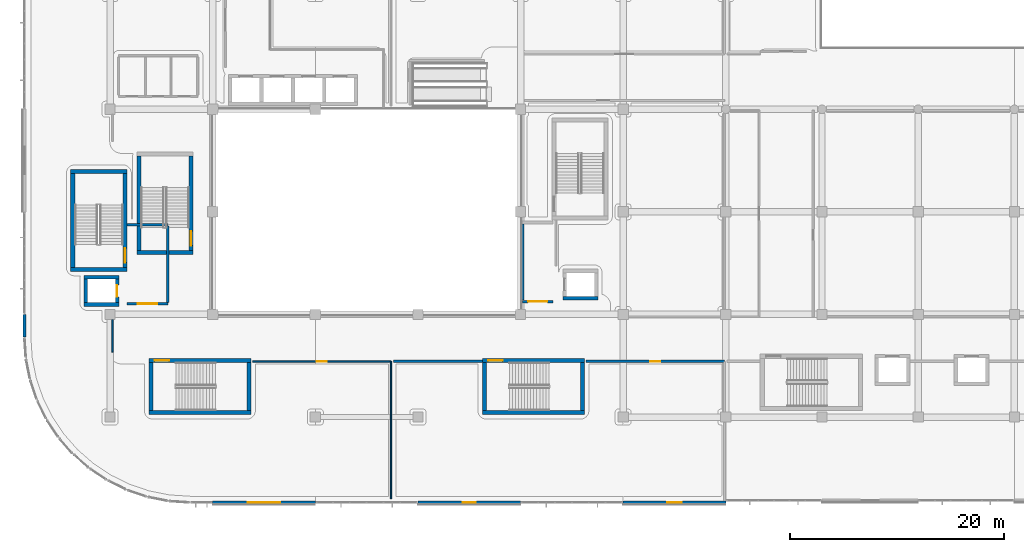
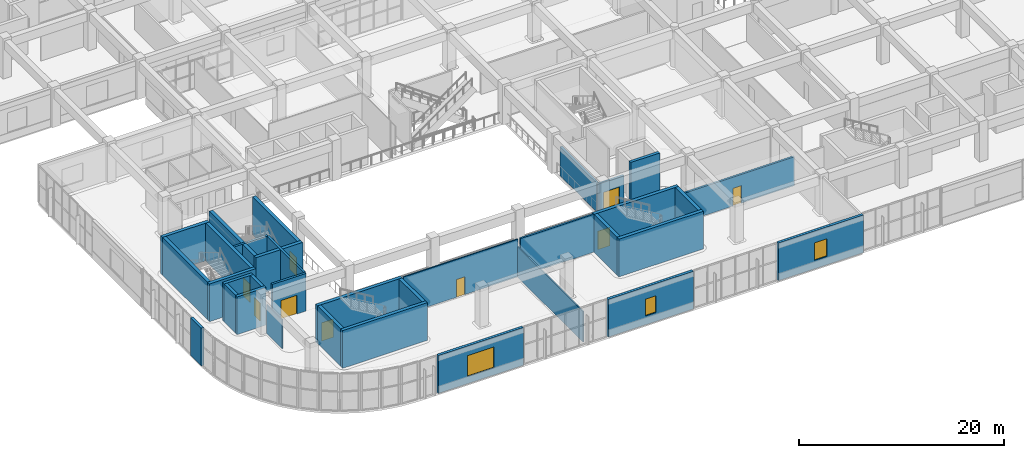
# One storey, part 51 of 86: 34 walls, 9 doors, 3 windows, 12 openings.
"""IFC4 building model written with IfcOpenShell, lengths in metres."""

from ifc_helpers import new_model, si_unit, direction, frame, frame_2d, origin, place, context, subcontext, project, spatial, rectangle, extrude, material, layer, layer_set, type_object, element, fill, save


model = new_model("IFC4")

# Units and contexts
model_context = context("Model", 3, precision=1e-05, world=origin(), true_north=direction((0.0, 1.0)))
body_context = subcontext(model_context, "Body", "Model", "MODEL_VIEW")
ifc_project = project(units=[si_unit("LENGTHUNIT", "METRE"), si_unit("AREAUNIT", "SQUARE_METRE"), si_unit("VOLUMEUNIT", "CUBIC_METRE"), si_unit("PLANEANGLEUNIT", "RADIAN"), si_unit("MASSUNIT", "GRAM", prefix="KILO")], contexts=[model_context])

# Site, building, storey
site_placement = place(None, origin())
site = spatial("IfcSite", under=ifc_project, at=site_placement, CompositionType="ELEMENT")
building_placement = place(site_placement, origin())
building = spatial("IfcBuilding", under=site, at=building_placement, Name="Cendralis Terraced Arcade", CompositionType="ELEMENT")
storey_placement = place(building_placement, frame((0.0, 0.0, 5.39990234375)))
storey = spatial("IfcBuildingStorey", under=building, at=storey_placement, Name="L01", CompositionType="ELEMENT", Elevation=5.39990234375)

# Wall
ifc_material_1 = material(Name="Gypsum plasterboard acoustic partition", Category="concrete")
ifc_layer_1 = layer(ifc_material_1, 0.2099609375, Name="WL-ACOU-210")
ifc_layer_set_1 = layer_set([ifc_layer_1], Name="Gypsum plasterboard acoustic partition")
wall_type_1 = type_object("IfcWallType", Name="WL-ACOU-210", PredefinedType="PARTITIONING", material=ifc_layer_set_1)
wall_1_placement = place(storey_placement, frame((36.1201171875, 14.820068359375, 0.0), z_axis=(0.0, 0.0, 1.0), x_axis=(1.0, 0.0, 0.0)))
element("IfcWall", 1, at=wall_1_placement, inside=storey, type_object=wall_type_1, Name="Interior Partition Wall IW-L01-0339", PredefinedType="PARTITIONING", context=body_context, shape_type="SweptSolid", body=[
    extrude(rectangle(XDim=8.2998046875, YDim=0.2099609375, at=frame_2d((4.14990234375, 0.0))), origin(), (0.0, 0.0, 1.0), 4.505126953125),
])

# Wall, opening, door
ifc_material_2 = material(Name="Autoclaved aerated concrete blockwork", Category="masonry")
ifc_layer_2 = layer(ifc_material_2, 0.221923828125, Name="WL-ACOU-222")
ifc_layer_set_2 = layer_set([ifc_layer_2], Name="Autoclaved aerated concrete blockwork")
wall_type_2 = type_object("IfcWallType", Name="WL-ACOU-222", PredefinedType="PARTITIONING", material=ifc_layer_set_2)
wall_2_placement = place(storey_placement, frame((54.126220703125, 14.820068359375, 0.0), z_axis=(0.0, 0.0, 1.0), x_axis=(1.0, 0.0, 0.0)))
wall_2 = element("IfcWall", 2, at=wall_2_placement, inside=storey, type_object=wall_type_2, Name="Interior Partition Wall IW-L01-0338", PredefinedType="PARTITIONING", context=body_context, shape_type="SweptSolid", body=[
    extrude(rectangle(XDim=12.953857421875, YDim=0.221923828125, at=frame_2d((6.47705078125, 0.0))), origin(), (0.0, 0.0, 1.0), 3.445068359375),
])
opening_1_placement = place(wall_2_placement, frame((6.016845703125, 0.0, 0.0)))
opening_1 = element("IfcOpeningElement", 3, at=opening_1_placement, cuts=wall_2, Name="Opening D-L01-096", PredefinedType="OPENING", context=body_context, shape_type="SweptSolid", body=[
    extrude(rectangle(XDim=0.919921875, YDim=2.10009765625, at=frame_2d((0.4599609375, 1.050048828125))), frame((0.0, 0.123046875, 0.0), z_axis=(0.0, -1.0, 0.0), x_axis=(1.0, 0.0, 0.0)), (0.0, 0.0, 1.0), 0.245849609375),
])
ifc_material_3 = material(Name="Solid core Andean oak veneer door leaf", Category="aluminium")
door_type_1 = type_object("IfcDoorType", Name="ID-RM-0920x2100", OperationType="NOTDEFINED", PredefinedType="DOOR", material=ifc_material_3)
door_1_placement = place(opening_1_placement, origin())
door_1 = element("IfcDoor", 4, at=door_1_placement, inside=storey, type_object=door_type_1, Name="Luxury Leather and Accessories Gallery - Mezzanine Door D-L01-096", OperationType="SINGLE_SWING_LEFT", OverallHeight=2.10009765625, OverallWidth=0.919921875, PredefinedType="DOOR", context=body_context, shape_type="SweptSolid", body=[
    extrude(rectangle(XDim=0.919921875, YDim=2.10009765625, at=frame_2d((0.4599609375, 1.050048828125))), frame((0.0, 0.02490234375, 0.0), z_axis=(0.0, -1.0, 0.0), x_axis=(1.0, 0.0, 0.0)), (0.0, 0.0, 1.0), 0.050048828125),
])
fill(opening_1, door_1)

# Walls
ifc_material_4 = material(Name="Concrete f'c 42 MPa", Category="concrete")
ifc_layer_3 = layer(ifc_material_4, 0.340087890625, Name="WL-CORE-340")
ifc_layer_set_3 = layer_set([ifc_layer_3], Name="Concrete f'c 42 MPa")
wall_type_3 = type_object("IfcWallType", Name="WL-CORE-340", PredefinedType="SHEAR", material=ifc_layer_set_3)
for number, where, z_axis, x_axis, name in (
    (5, (7.159912109375, 20.1298828125, 0.0), (0.0, 0.0, 1.0), (1.0, 0.0, 0.0), "Lift FFL-01 Reinforced Concrete Shaft Wall (L01)"),
    (6, (7.159912109375, 22.669921875, 0.0), (0.0, 0.0, 1.0), (1.0, 0.0, 0.0), "Lift FFL-01 Reinforced Concrete Shaft Wall (L01)"),
):
    element("IfcWall", number, at=place(storey_placement, frame(where, z_axis=z_axis, x_axis=x_axis)), inside=storey, type_object=wall_type_3, Name=name, PredefinedType="SHEAR", context=body_context, shape_type="SweptSolid", body=[
        extrude(rectangle(XDim=3.280029296875, YDim=0.340087890625, at=frame_2d((1.64013671875, 0.0))), origin(), (0.0, 0.0, 1.0), 4.505126953125),
    ])
wall_3_placement = place(storey_placement, frame((7.330078125, 20.300048828125, 0.0), z_axis=(0.0, 0.0, 1.0), x_axis=(0.0, 1.0, 0.0)))
element("IfcWall", 7, at=wall_3_placement, inside=storey, type_object=wall_type_3, Name="Lift FFL-01 Reinforced Concrete Shaft Wall (L01)", PredefinedType="SHEAR", context=body_context, shape_type="SweptSolid", body=[
    extrude(rectangle(XDim=2.199951171875, YDim=0.340087890625, at=frame_2d((1.10009765625, 0.0))), origin(), (0.0, 0.0, 1.0), 4.505126953125),
])

# Wall, opening, door
wall_4_placement = place(storey_placement, frame((10.27001953125, 20.300048828125, 0.0), z_axis=(0.0, 0.0, 1.0), x_axis=(0.0, 1.0, 0.0)))
wall_4 = element("IfcWall", 8, at=wall_4_placement, inside=storey, type_object=wall_type_3, Name="Lift FFL-01 Reinforced Concrete Shaft Wall (L01)", PredefinedType="SHEAR", context=body_context, shape_type="SweptSolid", body=[
    extrude(rectangle(XDim=2.199951171875, YDim=0.340087890625, at=frame_2d((1.10009765625, 0.0))), origin(), (0.0, 0.0, 1.0), 4.505126953125),
])
opening_2_placement = place(wall_4_placement, frame((0.550048828125, 0.0, 0.0)))
opening_2 = element("IfcOpeningElement", 9, at=opening_2_placement, cuts=wall_4, Name="Opening LD-FFL-01-L01", PredefinedType="OPENING", context=body_context, shape_type="SweptSolid", body=[
    extrude(rectangle(XDim=1.10009765625, YDim=2.14990234375, at=frame_2d((0.550048828125, 1.074951171875))), frame((0.0, 0.18212890625, 0.0), z_axis=(0.0, -1.0, 0.0), x_axis=(1.0, 0.0, 0.0)), (0.0, 0.0, 1.0), 0.364013671875),
])
ifc_material_5 = material(Name="Anodised aluminium sliding door assembly", Category="aluminium")
door_type_2 = type_object("IfcDoorType", Name="ID-LD-FF-1100x2150", OperationType="DOUBLE_DOOR_SLIDING", PredefinedType="DOOR", material=ifc_material_5)
door_2_placement = place(opening_2_placement, origin())
door_2 = element("IfcDoor", 10, at=door_2_placement, inside=storey, type_object=door_type_2, Name="Lift FFL-01 Sliding Landing Door (L01)", OperationType="DOUBLE_DOOR_SLIDING", OverallHeight=2.14990234375, OverallWidth=1.10009765625, PredefinedType="DOOR", context=body_context, shape_type="SweptSolid", body=[
    extrude(rectangle(XDim=1.10009765625, YDim=2.14990234375, at=frame_2d((0.550048828125, 1.074951171875))), frame((0.0, 0.02490234375, 0.0), z_axis=(0.0, -1.0, 0.0), x_axis=(1.0, 0.0, 0.0)), (0.0, 0.0, 1.0), 0.050048828125),
])
fill(opening_2, door_2)

# Walls
wall_5_placement = place(storey_placement, frame((51.9599609375, 20.72998046875, 0.0), z_axis=(0.0, 0.0, 1.0), x_axis=(1.0, 0.0, 0.0)))
element("IfcWall", 11, at=wall_5_placement, inside=storey, type_object=wall_type_3, Name="Lift FFL-02 Reinforced Concrete Shaft Wall (L01)", PredefinedType="SHEAR", context=body_context, shape_type="SweptSolid", body=[
    extrude(rectangle(XDim=3.280029296875, YDim=0.340087890625, at=frame_2d((1.64013671875, 0.0))), origin(), (0.0, 0.0, 1.0), 4.505126953125),
])
ifc_layer_4 = layer(ifc_material_4, 0.3798828125, Name="WL-CORE-380")
ifc_layer_set_4 = layer_set([ifc_layer_4], Name="Concrete f'c 42 MPa")
wall_type_4 = type_object("IfcWallType", Name="WL-CORE-380", PredefinedType="SHEAR", material=ifc_layer_set_4)
for number, where, z_axis, x_axis, name in (
    (12, (5.919921875, 23.409912109375, 0.0), (0.0, 0.0, 1.0), (1.0, 0.0, 0.0), "Stair Core Reinforced Concrete Shear Wall SW-ST-01-L01-S"),
    (13, (5.919921875, 32.590087890625, 0.0), (0.0, 0.0, 1.0), (1.0, 0.0, 0.0), "Stair Core Reinforced Concrete Shear Wall SW-ST-01-L01-N"),
):
    element("IfcWall", number, at=place(storey_placement, frame(where, z_axis=z_axis, x_axis=x_axis)), inside=storey, type_object=wall_type_4, Name=name, PredefinedType="SHEAR", context=body_context, shape_type="SweptSolid", body=[
        extrude(rectangle(XDim=5.260009765625, YDim=0.3798828125, at=frame_2d((2.6298828125, 0.0))), origin(), (0.0, 0.0, 1.0), 4.505126953125),
    ])

# Wall, opening, door
wall_6_placement = place(storey_placement, frame((10.989990234375, 23.60009765625, 0.0), z_axis=(0.0, 0.0, 1.0), x_axis=(0.0, 1.0, 0.0)))
wall_6 = element("IfcWall", 14, at=wall_6_placement, inside=storey, type_object=wall_type_4, Name="Stair Core Reinforced Concrete Shear Wall SW-ST-01-L01-E", PredefinedType="SHEAR", context=body_context, shape_type="SweptSolid", body=[
    extrude(rectangle(XDim=8.7998046875, YDim=0.3798828125, at=frame_2d((4.39990234375, 0.0))), origin(), (0.0, 0.0, 1.0), 4.505126953125),
])
opening_3_placement = place(wall_6_placement, frame((0.449951171875, 0.0, 0.0)))
opening_3 = element("IfcOpeningElement", 15, at=opening_3_placement, cuts=wall_6, Name="Opening D-ST-01-L01", PredefinedType="OPENING", context=body_context, shape_type="SweptSolid", body=[
    extrude(rectangle(XDim=1.35009765625, YDim=2.199951171875, at=frame_2d((0.675048828125, 1.10009765625))), frame((0.0, 0.201904296875, 0.0), z_axis=(0.0, -1.0, 0.0), x_axis=(1.0, 0.0, 0.0)), (0.0, 0.0, 1.0), 0.40380859375),
])
ifc_material_6 = material(Name="Galvanised fire-rated steel door assembly", Category="steel")
door_type_3 = type_object("IfcDoorType", Name="ID-ST-1350x2200", OperationType="NOTDEFINED", PredefinedType="DOOR", material=ifc_material_6)
door_3_placement = place(opening_3_placement, origin())
door_3 = element("IfcDoor", 16, at=door_3_placement, inside=storey, type_object=door_type_3, Name="Protected Stair ST-01 Fire Door (L01)", OperationType="SINGLE_SWING_LEFT", OverallHeight=2.199951171875, OverallWidth=1.35009765625, PredefinedType="DOOR", context=body_context, shape_type="SweptSolid", body=[
    extrude(rectangle(XDim=1.35009765625, YDim=2.199951171875, at=frame_2d((0.675048828125, 1.10009765625))), frame((0.0, 0.02490234375, 0.0), z_axis=(0.0, -1.0, 0.0), x_axis=(1.0, 0.0, 0.0)), (0.0, 0.0, 1.0), 0.050048828125),
])
fill(opening_3, door_3)

# Walls
wall_7_placement = place(storey_placement, frame((6.110107421875, 23.60009765625, 0.0), z_axis=(0.0, 0.0, 1.0), x_axis=(0.0, 1.0, 0.0)))
element("IfcWall", 17, at=wall_7_placement, inside=storey, type_object=wall_type_4, Name="Stair Core Reinforced Concrete Shear Wall SW-ST-01-L01-W", PredefinedType="SHEAR", context=body_context, shape_type="SweptSolid", body=[
    extrude(rectangle(XDim=8.7998046875, YDim=0.3798828125, at=frame_2d((4.39990234375, 0.0))), origin(), (0.0, 0.0, 1.0), 4.505126953125),
])
wall_8_placement = place(storey_placement, frame((13.219970703125, 10.010009765625, 0.0), z_axis=(0.0, 0.0, 1.0), x_axis=(1.0, 0.0, 0.0)))
element("IfcWall", 18, at=wall_8_placement, inside=storey, type_object=wall_type_4, Name="Stair Core Reinforced Concrete Shear Wall SW-ST-02-L01-S", PredefinedType="SHEAR", context=body_context, shape_type="SweptSolid", body=[
    extrude(rectangle(XDim=9.56005859375, YDim=0.3798828125, at=frame_2d((4.780029296875, 0.0))), origin(), (0.0, 0.0, 1.0), 4.505126953125),
])

# Wall, opening, door
wall_9_placement = place(storey_placement, frame((13.219970703125, 14.889892578125, 0.0), z_axis=(0.0, 0.0, 1.0), x_axis=(1.0, 0.0, 0.0)))
wall_9 = element("IfcWall", 19, at=wall_9_placement, inside=storey, type_object=wall_type_4, Name="Stair Core Reinforced Concrete Shear Wall SW-ST-02-L01-N", PredefinedType="SHEAR", context=body_context, shape_type="SweptSolid", body=[
    extrude(rectangle(XDim=9.56005859375, YDim=0.3798828125, at=frame_2d((4.780029296875, 0.0))), origin(), (0.0, 0.0, 1.0), 4.505126953125),
])
opening_4_placement = place(wall_9_placement, frame((0.550048828125, 0.0, 0.0)))
opening_4 = element("IfcOpeningElement", 20, at=opening_4_placement, cuts=wall_9, Name="Opening D-ST-02-L01", PredefinedType="OPENING", context=body_context, shape_type="SweptSolid", body=[
    extrude(rectangle(XDim=1.35009765625, YDim=2.199951171875, at=frame_2d((0.675048828125, 1.10009765625))), frame((0.0, 0.201904296875, 0.0), z_axis=(0.0, -1.0, 0.0), x_axis=(1.0, 0.0, 0.0)), (0.0, 0.0, 1.0), 0.40380859375),
])
door_4_placement = place(opening_4_placement, frame((1.35009765625, 0.0, 0.0), z_axis=(0.0, 0.0, 1.0), x_axis=(-1.0, 0.0, 0.0)))
door_4 = element("IfcDoor", 21, at=door_4_placement, inside=storey, type_object=door_type_3, Name="Protected Stair ST-02 Fire Door (L01)", OperationType="SINGLE_SWING_RIGHT", OverallHeight=2.199951171875, OverallWidth=1.35009765625, PredefinedType="DOOR", context=body_context, shape_type="SweptSolid", body=[
    extrude(rectangle(XDim=1.35009765625, YDim=2.199951171875, at=frame_2d((0.675048828125, 1.10009765625))), frame((0.0, 0.02490234375, 0.0), z_axis=(0.0, -1.0, 0.0), x_axis=(1.0, 0.0, 0.0)), (0.0, 0.0, 1.0), 0.050048828125),
])
fill(opening_4, door_4)

# Walls
for number, where, z_axis, x_axis, name in (
    (22, (22.590087890625, 10.199951171875, 0.0), (0.0, 0.0, 1.0), (0.0, 1.0, 0.0), "Stair Core Reinforced Concrete Shear Wall SW-ST-02-L01-E"),
    (23, (13.409912109375, 10.199951171875, 0.0), (0.0, 0.0, 1.0), (0.0, 1.0, 0.0), "Stair Core Reinforced Concrete Shear Wall SW-ST-02-L01-W"),
):
    element("IfcWall", number, at=place(storey_placement, frame(where, z_axis=z_axis, x_axis=x_axis)), inside=storey, type_object=wall_type_4, Name=name, PredefinedType="SHEAR", context=body_context, shape_type="SweptSolid", body=[
        extrude(rectangle(XDim=4.5, YDim=0.3798828125, at=frame_2d((2.25, 0.0))), origin(), (0.0, 0.0, 1.0), 4.505126953125),
    ])
wall_10_placement = place(storey_placement, frame((44.419921875, 10.010009765625, 0.0), z_axis=(0.0, 0.0, 1.0), x_axis=(1.0, 0.0, 0.0)))
element("IfcWall", 24, at=wall_10_placement, inside=storey, type_object=wall_type_4, Name="Stair Core Reinforced Concrete Shear Wall SW-ST-03-L01-S", PredefinedType="SHEAR", context=body_context, shape_type="SweptSolid", body=[
    extrude(rectangle(XDim=9.56005859375, YDim=0.3798828125, at=frame_2d((4.780029296875, 0.0))), origin(), (0.0, 0.0, 1.0), 4.505126953125),
])

# Wall, opening, door
wall_11_placement = place(storey_placement, frame((44.419921875, 14.889892578125, 0.0), z_axis=(0.0, 0.0, 1.0), x_axis=(1.0, 0.0, 0.0)))
wall_11 = element("IfcWall", 25, at=wall_11_placement, inside=storey, type_object=wall_type_4, Name="Stair Core Reinforced Concrete Shear Wall SW-ST-03-L01-N", PredefinedType="SHEAR", context=body_context, shape_type="SweptSolid", body=[
    extrude(rectangle(XDim=9.56005859375, YDim=0.3798828125, at=frame_2d((4.780029296875, 0.0))), origin(), (0.0, 0.0, 1.0), 4.505126953125),
])
opening_5_placement = place(wall_11_placement, frame((0.550048828125, 0.0, 0.0)))
opening_5 = element("IfcOpeningElement", 26, at=opening_5_placement, cuts=wall_11, Name="Opening D-ST-03-L01", PredefinedType="OPENING", context=body_context, shape_type="SweptSolid", body=[
    extrude(rectangle(XDim=1.35009765625, YDim=2.199951171875, at=frame_2d((0.675048828125, 1.10009765625))), frame((0.0, 0.201904296875, 0.0), z_axis=(0.0, -1.0, 0.0), x_axis=(1.0, 0.0, 0.0)), (0.0, 0.0, 1.0), 0.40380859375),
])
door_5_placement = place(opening_5_placement, frame((1.35009765625, 0.0, 0.0), z_axis=(0.0, 0.0, 1.0), x_axis=(-1.0, 0.0, 0.0)))
door_5 = element("IfcDoor", 27, at=door_5_placement, inside=storey, type_object=door_type_3, Name="Protected Stair ST-03 Fire Door (L01)", OperationType="SINGLE_SWING_LEFT", OverallHeight=2.199951171875, OverallWidth=1.35009765625, PredefinedType="DOOR", context=body_context, shape_type="SweptSolid", body=[
    extrude(rectangle(XDim=1.35009765625, YDim=2.199951171875, at=frame_2d((0.675048828125, 1.10009765625))), frame((0.0, 0.02490234375, 0.0), z_axis=(0.0, -1.0, 0.0), x_axis=(1.0, 0.0, 0.0)), (0.0, 0.0, 1.0), 0.050048828125),
])
fill(opening_5, door_5)

# Walls
for number, where, z_axis, x_axis, name in (
    (28, (53.7900390625, 10.199951171875, 0.0), (0.0, 0.0, 1.0), (0.0, 1.0, 0.0), "Stair Core Reinforced Concrete Shear Wall SW-ST-03-L01-E"),
    (29, (44.610107421875, 10.199951171875, 0.0), (0.0, 0.0, 1.0), (0.0, 1.0, 0.0), "Stair Core Reinforced Concrete Shear Wall SW-ST-03-L01-W"),
):
    element("IfcWall", number, at=place(storey_placement, frame(where, z_axis=z_axis, x_axis=x_axis)), inside=storey, type_object=wall_type_4, Name=name, PredefinedType="SHEAR", context=body_context, shape_type="SweptSolid", body=[
        extrude(rectangle(XDim=4.5, YDim=0.3798828125, at=frame_2d((2.25, 0.0))), origin(), (0.0, 0.0, 1.0), 4.505126953125),
    ])
wall_12_placement = place(storey_placement, frame((12.1201171875, 25.010009765625, 0.0), z_axis=(0.0, 0.0, 1.0), x_axis=(1.0, 0.0, 0.0)))
element("IfcWall", 30, at=wall_12_placement, inside=storey, type_object=wall_type_4, Name="Stair Core Reinforced Concrete Shear Wall SW-ST-05-L01-S", PredefinedType="SHEAR", context=body_context, shape_type="SweptSolid", body=[
    extrude(rectangle(XDim=5.259765625, YDim=0.3798828125, at=frame_2d((2.6298828125, 0.0))), origin(), (0.0, 0.0, 1.0), 4.505126953125),
])

# Wall, opening, door
wall_13_placement = place(storey_placement, frame((17.18994140625, 25.199951171875, 0.0), z_axis=(0.0, 0.0, 1.0), x_axis=(0.0, 1.0, 0.0)))
wall_13 = element("IfcWall", 31, at=wall_13_placement, inside=storey, type_object=wall_type_4, Name="Stair Core Reinforced Concrete Shear Wall SW-ST-05-L01-E", PredefinedType="SHEAR", context=body_context, shape_type="SweptSolid", body=[
    extrude(rectangle(XDim=8.800048828125, YDim=0.3798828125, at=frame_2d((4.39990234375, 0.0))), origin(), (0.0, 0.0, 1.0), 4.505126953125),
])
opening_6_placement = place(wall_13_placement, frame((0.449951171875, 0.0, 0.0)))
opening_6 = element("IfcOpeningElement", 32, at=opening_6_placement, cuts=wall_13, Name="Opening D-ST-05-L01", PredefinedType="OPENING", context=body_context, shape_type="SweptSolid", body=[
    extrude(rectangle(XDim=1.35009765625, YDim=2.199951171875, at=frame_2d((0.675048828125, 1.10009765625))), frame((0.0, 0.201904296875, 0.0), z_axis=(0.0, -1.0, 0.0), x_axis=(1.0, 0.0, 0.0)), (0.0, 0.0, 1.0), 0.40380859375),
])
door_6_placement = place(opening_6_placement, origin())
door_6 = element("IfcDoor", 33, at=door_6_placement, inside=storey, type_object=door_type_3, Name="Protected Stair ST-05 Fire Door (L01)", OperationType="SINGLE_SWING_RIGHT", OverallHeight=2.199951171875, OverallWidth=1.35009765625, PredefinedType="DOOR", context=body_context, shape_type="SweptSolid", body=[
    extrude(rectangle(XDim=1.35009765625, YDim=2.199951171875, at=frame_2d((0.675048828125, 1.10009765625))), frame((0.0, 0.02490234375, 0.0), z_axis=(0.0, -1.0, 0.0), x_axis=(1.0, 0.0, 0.0)), (0.0, 0.0, 1.0), 0.050048828125),
])
fill(opening_6, door_6)

# Wall
wall_14_placement = place(storey_placement, frame((12.31005859375, 25.199951171875, 0.0), z_axis=(0.0, 0.0, 1.0), x_axis=(0.0, 1.0, 0.0)))
element("IfcWall", 34, at=wall_14_placement, inside=storey, type_object=wall_type_4, Name="Stair Core Reinforced Concrete Shear Wall SW-ST-05-L01-W", PredefinedType="SHEAR", context=body_context, shape_type="SweptSolid", body=[
    extrude(rectangle(XDim=8.800048828125, YDim=0.3798828125, at=frame_2d((4.39990234375, 0.0))), origin(), (0.0, 0.0, 1.0), 4.505126953125),
])

# Wall, opening, window
ifc_material_7 = material(Name="Precast concrete f'c 40 MPa", Category="concrete")
ifc_layer_5 = layer(ifc_material_7, 0.300048828125, Name="WL-EXT-GRC-300")
ifc_layer_set_5 = layer_set([ifc_layer_5], Name="Precast concrete f'c 40 MPa")
wall_type_5 = type_object("IfcWallType", Name="WL-EXT-GRC-300", PredefinedType="SOLIDWALL", material=ifc_layer_set_5)
wall_15_placement = place(storey_placement, frame((67.199951171875, 1.60009765625, 0.0), z_axis=(0.0, 0.0, 1.0), x_axis=(-1.0, 0.0, 0.0)))
wall_15 = element("IfcWall", 35, at=wall_15_placement, inside=storey, type_object=wall_type_5, Name="Exterior Architectural Wall EW-L01-0122", PredefinedType="SOLIDWALL", context=body_context, shape_type="SweptSolid", body=[
    extrude(rectangle(XDim=9.599853515625, YDim=0.300048828125, at=frame_2d((4.7998046875, 0.0))), origin(), (0.0, 0.0, 1.0), 4.505126953125),
])
opening_7_placement = place(wall_15_placement, frame((4.10009765625, 0.0, 1.0)))
opening_7 = element("IfcOpeningElement", 36, at=opening_7_placement, cuts=wall_15, Name="Opening W-06", PredefinedType="OPENING", context=body_context, shape_type="SweptSolid", body=[
    extrude(rectangle(XDim=1.39990234375, YDim=2.10009765625, at=frame_2d((0.699951171875, 1.050048828125))), frame((0.0, 0.162109375, 0.0), z_axis=(0.0, -1.0, 0.0), x_axis=(1.0, 0.0, 0.0)), (0.0, 0.0, 1.0), 0.323974609375),
])
ifc_material_8 = material(Name="Tempered solar control laminated glass", Category="glass")
window_type_1 = type_object("IfcWindowType", Name="WN-F1-1400x2100", PartitioningType="SINGLE_PANEL", PredefinedType="WINDOW", material=ifc_material_8)
window_1_placement = place(opening_7_placement, origin())
window_1 = element("IfcWindow", 37, at=window_1_placement, inside=storey, type_object=window_type_1, Name="Exterior Solar-Control Window WN-L01-0074", OverallHeight=2.10009765625, OverallWidth=1.39990234375, PartitioningType="SINGLE_PANEL", PredefinedType="WINDOW", context=body_context, shape_type="SweptSolid", body=[
    extrude(rectangle(XDim=1.39990234375, YDim=2.10009765625, at=frame_2d((0.699951171875, 1.050048828125))), frame((0.0, 0.030029296875, 0.0), z_axis=(0.0, -1.0, 0.0), x_axis=(1.0, 0.0, 0.0)), (0.0, 0.0, 1.0), 0.06005859375),
])
fill(opening_7, window_1)

wall_16_placement = place(storey_placement, frame((48.0, 1.60009765625, 0.0), z_axis=(0.0, 0.0, 1.0), x_axis=(-1.0, 0.0, 0.0)))
wall_16 = element("IfcWall", 38, at=wall_16_placement, inside=storey, type_object=wall_type_5, Name="Exterior Architectural Wall EW-L01-0123", PredefinedType="SOLIDWALL", context=body_context, shape_type="SweptSolid", body=[
    extrude(rectangle(XDim=9.60009765625, YDim=0.300048828125, at=frame_2d((4.800048828125, 0.0))), origin(), (0.0, 0.0, 1.0), 4.505126953125),
])
opening_8_placement = place(wall_16_placement, frame((4.199951171875, 0.0, 1.050048828125)))
opening_8 = element("IfcOpeningElement", 39, at=opening_8_placement, cuts=wall_16, Name="Opening W-07", PredefinedType="OPENING", context=body_context, shape_type="SweptSolid", body=[
    extrude(rectangle(XDim=1.199951171875, YDim=2.0, at=frame_2d((0.60009765625, 1.0))), frame((0.0, 0.162109375, 0.0), z_axis=(0.0, -1.0, 0.0), x_axis=(1.0, 0.0, 0.0)), (0.0, 0.0, 1.0), 0.323974609375),
])
window_type_2 = type_object("IfcWindowType", Name="WN-F1-1200x2000", PartitioningType="SINGLE_PANEL", PredefinedType="WINDOW", material=ifc_material_8)
window_2_placement = place(opening_8_placement, origin())
window_2 = element("IfcWindow", 40, at=window_2_placement, inside=storey, type_object=window_type_2, Name="Exterior Solar-Control Window WN-L01-0075", OverallHeight=2.0, OverallWidth=1.199951171875, PartitioningType="SINGLE_PANEL", PredefinedType="WINDOW", context=body_context, shape_type="SweptSolid", body=[
    extrude(rectangle(XDim=1.199951171875, YDim=2.0, at=frame_2d((0.60009765625, 1.0))), frame((0.0, 0.030029296875, 0.0), z_axis=(0.0, -1.0, 0.0), x_axis=(1.0, 0.0, 0.0)), (0.0, 0.0, 1.0), 0.06005859375),
])
fill(opening_8, window_2)

wall_17_placement = place(storey_placement, frame((28.800048828125, 1.60009765625, 0.0), z_axis=(0.0, 0.0, 1.0), x_axis=(-1.0, 0.0, 0.0)))
wall_17 = element("IfcWall", 41, at=wall_17_placement, inside=storey, type_object=wall_type_5, Name="Exterior Architectural Wall EW-L01-0124", PredefinedType="SOLIDWALL", context=body_context, shape_type="SweptSolid", body=[
    extrude(rectangle(XDim=9.60009765625, YDim=0.300048828125, at=frame_2d((4.800048828125, 0.0))), origin(), (0.0, 0.0, 1.0), 4.505126953125),
])
opening_9_placement = place(wall_17_placement, frame((3.300048828125, 0.0, 0.85009765625)))
opening_9 = element("IfcOpeningElement", 42, at=opening_9_placement, cuts=wall_17, Name="Opening W-08", PredefinedType="OPENING", context=body_context, shape_type="SweptSolid", body=[
    extrude(rectangle(XDim=3.0, YDim=2.5, at=frame_2d((1.5, 1.25))), frame((0.0, 0.162109375, 0.0), z_axis=(0.0, -1.0, 0.0), x_axis=(1.0, 0.0, 0.0)), (0.0, 0.0, 1.0), 0.323974609375),
])
window_type_3 = type_object("IfcWindowType", Name="WN-F2-3000x2500", PartitioningType="SINGLE_PANEL", PredefinedType="WINDOW", material=ifc_material_8)
window_3_placement = place(opening_9_placement, origin())
window_3 = element("IfcWindow", 43, at=window_3_placement, inside=storey, type_object=window_type_3, Name="Exterior Solar-Control Window WN-L01-0076", OverallHeight=2.5, OverallWidth=3.0, PartitioningType="SINGLE_PANEL", PredefinedType="WINDOW", context=body_context, shape_type="SweptSolid", body=[
    extrude(rectangle(XDim=3.0, YDim=2.5, at=frame_2d((1.5, 1.25))), frame((0.0, 0.030029296875, 0.0), z_axis=(0.0, -1.0, 0.0), x_axis=(1.0, 0.0, 0.0)), (0.0, 0.0, 1.0), 0.06005859375),
])
fill(opening_9, window_3)

# Wall
wall_18_placement = place(storey_placement, frame((1.60009765625, 17.10009765625, 0.0), z_axis=(0.0, 0.0, 1.0), x_axis=(0.0, 1.0, 0.0)))
element("IfcWall", 44, at=wall_18_placement, inside=storey, type_object=wall_type_5, Name="Exterior Architectural Wall EW-L01-0125", PredefinedType="SOLIDWALL", context=body_context, shape_type="SweptSolid", body=[
    extrude(rectangle(XDim=2.099853515625, YDim=0.300048828125, at=frame_2d((1.0498046875, 0.0))), origin(), (0.0, 0.0, 1.0), 4.505126953125),
])

# Wall, opening, door
ifc_layer_6 = layer(ifc_material_2, 0.25, Name="WL-FFL-250")
ifc_layer_set_6 = layer_set([ifc_layer_6], Name="Autoclaved aerated concrete blockwork")
wall_type_6 = type_object("IfcWallType", Name="WL-FFL-250", PredefinedType="PARTITIONING", material=ifc_layer_set_6)
wall_19_placement = place(storey_placement, frame((11.199951171875, 20.199951171875, 0.0), z_axis=(0.0, 0.0, 1.0), x_axis=(1.0, 0.0, 0.0)))
wall_19 = element("IfcWall", 45, at=wall_19_placement, inside=storey, type_object=wall_type_6, Name="Firefighting Lift Lobby FFL-01 Rated Wall S (L01)", PredefinedType="PARTITIONING", context=body_context, shape_type="SweptSolid", body=[
    extrude(rectangle(XDim=3.800048828125, YDim=0.25, at=frame_2d((1.89990234375, 0.0))), origin(), (0.0, 0.0, 1.0), 4.505126953125),
])
opening_10_placement = place(wall_19_placement, frame((1.0, 0.0, 0.0)))
opening_10 = element("IfcOpeningElement", 46, at=opening_10_placement, cuts=wall_19, Name="Opening D-FFL-01-L01-S", PredefinedType="OPENING", context=body_context, shape_type="SweptSolid", body=[
    extrude(rectangle(XDim=1.800048828125, YDim=2.25, at=frame_2d((0.89990234375, 1.125))), frame((0.0, 0.136962890625, 0.0), z_axis=(0.0, -1.0, 0.0), x_axis=(1.0, 0.0, 0.0)), (0.0, 0.0, 1.0), 0.27392578125),
])
door_type_4 = type_object("IfcDoorType", Name="ID-FFL-1800x2250", OperationType="DOUBLE_DOOR_SINGLE_SWING", PredefinedType="DOOR", material=ifc_material_6)
door_7_placement = place(opening_10_placement, origin())
door_7 = element("IfcDoor", 47, at=door_7_placement, inside=storey, type_object=door_type_4, Name="Firefighting Lift Lobby FFL-01 Rated Double Door (L01)", OperationType="DOUBLE_DOOR_SINGLE_SWING", OverallHeight=2.25, OverallWidth=1.800048828125, PredefinedType="DOOR", context=body_context, shape_type="SweptSolid", body=[
    extrude(rectangle(XDim=1.800048828125, YDim=2.25, at=frame_2d((0.89990234375, 1.125))), frame((0.0, 0.02490234375, 0.0), z_axis=(0.0, -1.0, 0.0), x_axis=(1.0, 0.0, 0.0)), (0.0, 0.0, 1.0), 0.050048828125),
])
fill(opening_10, door_7)

# Walls
wall_20_placement = place(storey_placement, frame((11.199951171875, 27.60009765625, 0.0), z_axis=(0.0, 0.0, 1.0), x_axis=(1.0, 0.0, 0.0)))
element("IfcWall", 48, at=wall_20_placement, inside=storey, type_object=wall_type_6, Name="Firefighting Lift Lobby FFL-01 Rated Wall N (L01)", PredefinedType="PARTITIONING", context=body_context, shape_type="SweptSolid", body=[
    extrude(rectangle(XDim=3.800048828125, YDim=0.25, at=frame_2d((1.89990234375, 0.0))), origin(), (0.0, 0.0, 1.0), 4.505126953125),
])
wall_21_placement = place(storey_placement, frame((15.0, 20.330078125, 0.0), z_axis=(0.0, 0.0, 1.0), x_axis=(0.0, 1.0, 0.0)))
element("IfcWall", 49, at=wall_21_placement, inside=storey, type_object=wall_type_6, Name="Firefighting Lift Lobby FFL-01 Rated Wall E (L01)", PredefinedType="PARTITIONING", context=body_context, shape_type="SweptSolid", body=[
    extrude(rectangle(XDim=7.139892578125, YDim=0.25, at=frame_2d((3.56982421875, 0.0))), origin(), (0.0, 0.0, 1.0), 4.505126953125),
])

# Wall, opening, door
wall_22_placement = place(storey_placement, frame((48.199951171875, 20.39990234375, 0.0), z_axis=(0.0, 0.0, 1.0), x_axis=(1.0, 0.0, 0.0)))
wall_22 = element("IfcWall", 50, at=wall_22_placement, inside=storey, type_object=wall_type_6, Name="Firefighting Lift Lobby FFL-02 Rated Wall S (L01)", PredefinedType="PARTITIONING", context=body_context, shape_type="SweptSolid", body=[
    extrude(rectangle(XDim=2.85009765625, YDim=0.25, at=frame_2d((1.425048828125, 0.0))), origin(), (0.0, 0.0, 1.0), 3.445068359375),
])
opening_11_placement = place(wall_22_placement, frame((0.52001953125, 0.0, 0.0)))
opening_11 = element("IfcOpeningElement", 51, at=opening_11_placement, cuts=wall_22, Name="Opening D-FFL-02-L01-S", PredefinedType="OPENING", context=body_context, shape_type="SweptSolid", body=[
    extrude(rectangle(XDim=1.800048828125, YDim=2.25, at=frame_2d((0.89990234375, 1.125))), frame((0.0, 0.136962890625, 0.0), z_axis=(0.0, -1.0, 0.0), x_axis=(1.0, 0.0, 0.0)), (0.0, 0.0, 1.0), 0.27392578125),
])
door_8_placement = place(opening_11_placement, origin())
door_8 = element("IfcDoor", 52, at=door_8_placement, inside=storey, type_object=door_type_4, Name="Firefighting Lift Lobby FFL-02 Rated Double Door (L01)", OperationType="DOUBLE_DOOR_SINGLE_SWING", OverallHeight=2.25, OverallWidth=1.800048828125, PredefinedType="DOOR", context=body_context, shape_type="SweptSolid", body=[
    extrude(rectangle(XDim=1.800048828125, YDim=2.25, at=frame_2d((0.89990234375, 1.125))), frame((0.0, 0.02490234375, 0.0), z_axis=(0.0, -1.0, 0.0), x_axis=(1.0, 0.0, 0.0)), (0.0, 0.0, 1.0), 0.050048828125),
])
fill(opening_11, door_8)

# Walls
wall_23_placement = place(storey_placement, frame((48.199951171875, 20.530029296875, 0.0), z_axis=(0.0, 0.0, 1.0), x_axis=(0.0, 1.0, 0.0)))
element("IfcWall", 53, at=wall_23_placement, inside=storey, type_object=wall_type_6, Name="Firefighting Lift Lobby FFL-02 Rated Wall W (L01)", PredefinedType="PARTITIONING", context=body_context, shape_type="SweptSolid", body=[
    extrude(rectangle(XDim=7.139892578125, YDim=0.25, at=frame_2d((3.56982421875, 0.0))), origin(), (0.0, 0.0, 1.0), 3.445068359375),
])
ifc_layer_7 = layer(ifc_material_1, 0.1298828125, Name="WL-PART-130")
ifc_layer_set_7 = layer_set([ifc_layer_7], Name="Gypsum plasterboard acoustic partition")
wall_type_7 = type_object("IfcWallType", Name="WL-PART-130", PredefinedType="PARTITIONING", material=ifc_layer_set_7)
wall_24_placement = place(storey_placement, frame((9.820068359375, 18.72509765625, 0.0), z_axis=(0.0, 0.0, 1.0), x_axis=(0.0, -1.0, 0.0)))
element("IfcWall", 54, at=wall_24_placement, inside=storey, type_object=wall_type_7, Name="Interior Partition Wall IW-L01-0332", PredefinedType="PARTITIONING", context=body_context, shape_type="SweptSolid", body=[
    extrude(rectangle(XDim=3.045166015625, YDim=0.1298828125, at=frame_2d((1.5224609375, 0.0))), origin(), (0.0, 0.0, 1.0), 3.445068359375),
])
ifc_layer_8 = layer(ifc_material_1, 0.134033203125, Name="WL-PART-134")
ifc_layer_set_8 = layer_set([ifc_layer_8], Name="Gypsum plasterboard acoustic partition")
wall_type_8 = type_object("IfcWallType", Name="WL-PART-134", PredefinedType="PARTITIONING", material=ifc_layer_set_8)
wall_25_placement = place(storey_placement, frame((35.8798828125, 14.820068359375, 0.0), z_axis=(0.0, 0.0, 1.0), x_axis=(0.0, -1.0, 0.0)))
element("IfcWall", 55, at=wall_25_placement, inside=storey, type_object=wall_type_8, Name="Interior Partition Wall IW-L01-0331", PredefinedType="PARTITIONING", context=body_context, shape_type="SweptSolid", body=[
    extrude(rectangle(XDim=12.880126953125, YDim=0.134033203125, at=frame_2d((6.43994140625, 0.0))), origin(), (0.0, 0.0, 1.0), 3.64501953125),
])

# Wall, opening, door
ifc_layer_9 = layer(ifc_material_1, 0.137939453125, Name="WL-PART-138")
ifc_layer_set_9 = layer_set([ifc_layer_9], Name="Gypsum plasterboard acoustic partition")
wall_type_9 = type_object("IfcWallType", Name="WL-PART-138", PredefinedType="PARTITIONING", material=ifc_layer_set_9)
wall_26_placement = place(storey_placement, frame((22.926025390625, 14.820068359375, 0.0), z_axis=(0.0, 0.0, 1.0), x_axis=(1.0, 0.0, 0.0)))
wall_26 = element("IfcWall", 56, at=wall_26_placement, inside=storey, type_object=wall_type_9, Name="Interior Partition Wall IW-L01-0330", PredefinedType="PARTITIONING", context=body_context, shape_type="SweptSolid", body=[
    extrude(rectangle(XDim=12.953857421875, YDim=0.137939453125, at=frame_2d((6.47705078125, 0.0))), origin(), (0.0, 0.0, 1.0), 4.505126953125),
])
opening_12_placement = place(wall_26_placement, frame((5.9970703125, 0.0, 0.0)))
opening_12 = element("IfcOpeningElement", 57, at=opening_12_placement, cuts=wall_26, Name="Opening D-L01-094", PredefinedType="OPENING", context=body_context, shape_type="SweptSolid", body=[
    extrude(rectangle(XDim=0.9599609375, YDim=2.1298828125, at=frame_2d((0.47998046875, 1.06494140625))), frame((0.0, 0.0810546875, 0.0), z_axis=(0.0, -1.0, 0.0), x_axis=(1.0, 0.0, 0.0)), (0.0, 0.0, 1.0), 0.161865234375),
])
door_type_5 = type_object("IfcDoorType", Name="ID-RM-0960x2130", OperationType="NOTDEFINED", PredefinedType="DOOR", material=ifc_material_3)
door_9_placement = place(opening_12_placement, origin())
door_9 = element("IfcDoor", 58, at=door_9_placement, inside=storey, type_object=door_type_5, Name="Womenswear Flagship Sales Floor Door D-L01-094", OperationType="SINGLE_SWING_LEFT", OverallHeight=2.1298828125, OverallWidth=0.9599609375, PredefinedType="DOOR", context=body_context, shape_type="SweptSolid", body=[
    extrude(rectangle(XDim=0.9599609375, YDim=2.1298828125, at=frame_2d((0.47998046875, 1.06494140625))), frame((0.0, 0.02490234375, 0.0), z_axis=(0.0, -1.0, 0.0), x_axis=(1.0, 0.0, 0.0)), (0.0, 0.0, 1.0), 0.050048828125),
])
fill(opening_12, door_9)

save(model, "model.ifc")
